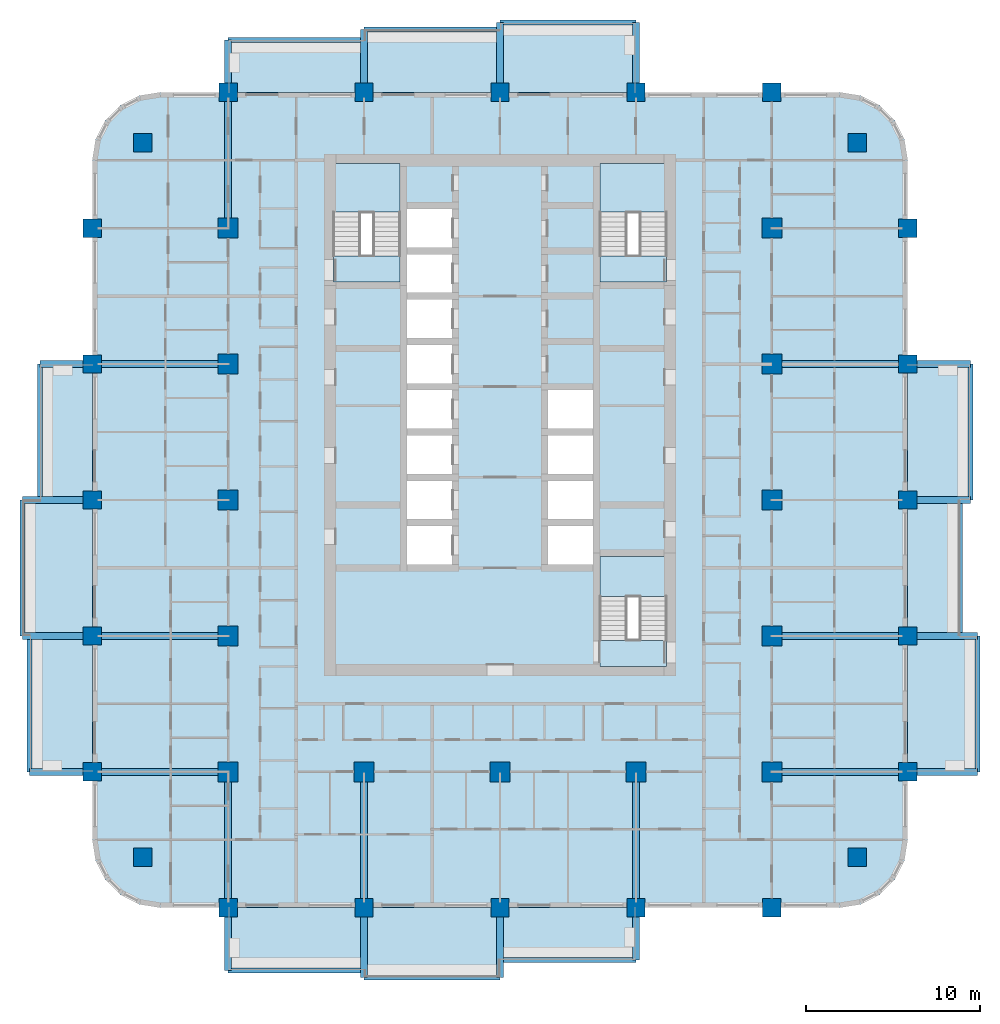
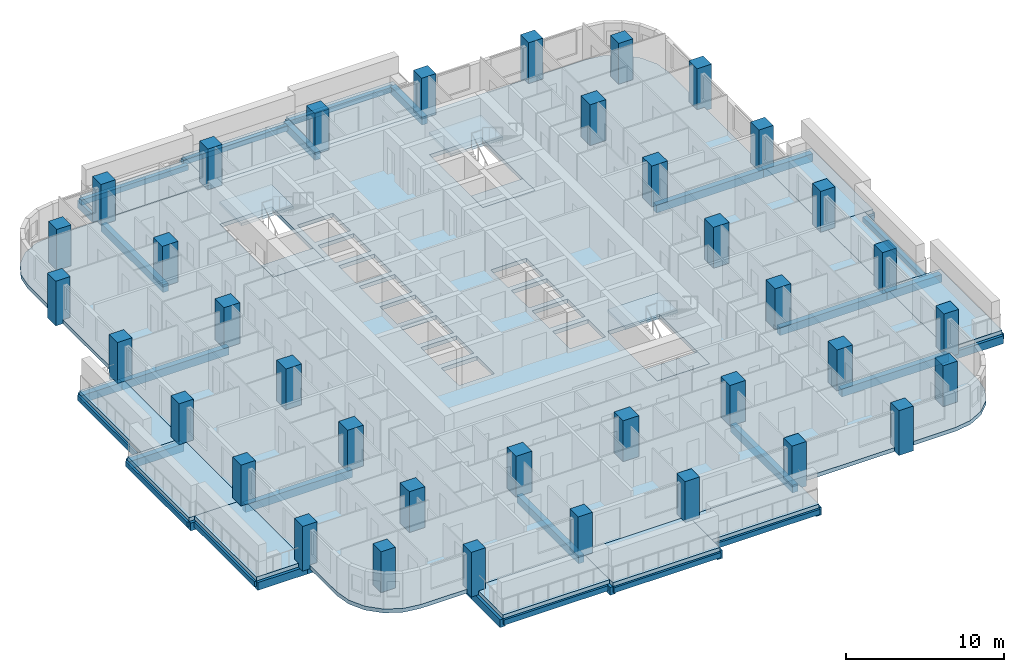
# One storey, part 1 of 17: 38 beams, 37 columns, 19 slabs, 3 elements without a shape of their own.
"""IFC4 building model written with IfcOpenShell, lengths in metres."""

from ifc_helpers import new_model, si_unit, direction, frame, origin, origin_2d, place, context, subcontext, project, spatial, polyline, rectangle, outline, extrude, material, layer, layer_set, material_profile, profile_set, type_object, element, aggregate, save


model = new_model("IFC4")

# Units and contexts
model_context = context("Model", 3, precision=1e-05, world=origin(), true_north=direction((0.0, 1.0)))
body_context = subcontext(model_context, "Body", "Model", "MODEL_VIEW")
ifc_project = project(units=[si_unit("LENGTHUNIT", "METRE"), si_unit("AREAUNIT", "SQUARE_METRE"), si_unit("VOLUMEUNIT", "CUBIC_METRE"), si_unit("PLANEANGLEUNIT", "RADIAN"), si_unit("MASSUNIT", "GRAM", prefix="KILO")], contexts=[model_context])

# Site, building, storey
site_placement = place(None, origin())
site = spatial("IfcSite", under=ifc_project, at=site_placement, CompositionType="ELEMENT")
building_placement = place(site_placement, origin())
building = spatial("IfcBuilding", under=site, at=building_placement, Name="Ludao Terraces", CompositionType="ELEMENT")
storey_placement = place(building_placement, frame((0.0, 0.0, 51.199951171875)))
storey = spatial("IfcBuildingStorey", under=building, at=storey_placement, Name="L13", CompositionType="ELEMENT", Elevation=51.199951171875)

# Columns
ifc_material_1 = material(Name="Concrete C60", Category="concrete")
ifc_material_profile_1 = material_profile(ifc_material_1, rectangle(XDim=1.050048828125, YDim=1.050048828125, at=origin_2d()), Name="1050 X 1050")
ifc_profile_set_1 = profile_set([ifc_material_profile_1], Name="Concrete C60")
column_type_1 = type_object("IfcColumnType", Name="RC column 1050x1050 C60", PredefinedType="COLUMN", material=ifc_profile_set_1)
for number, where, z_axis, x_axis, name in (
    (1, (64.5, 44.5, -0.300048828125), (0.0, 0.0, 1.0), (1.0, 0.0, 0.0), "Column L13 C0029x0029"),
    (2, (105.5, 44.5, -0.300048828125), (0.0, 0.0, 1.0), (1.0, 0.0, 0.0), "Column L13 C0439x0029"),
    (3, (64.5, 85.5, -0.300048828125), (0.0, 0.0, 1.0), (1.0, 0.0, 0.0), "Column L13 C0029x0439"),
    (4, (105.5, 85.5, -0.300048828125), (0.0, 0.0, 1.0), (1.0, 0.0, 0.0), "Column L13 C0439x0439"),
    (5, (61.60009765625, 49.39990234375, -0.300048828125), (0.0, 0.0, 1.0), (1.0, 0.0, 0.0), "Column L13 F0000x0078"),
    (6, (108.39990234375, 49.39990234375, -0.300048828125), (0.0, 0.0, 1.0), (1.0, 0.0, 0.0), "Column L13 F0468x0078"),
    (7, (69.39990234375, 41.60009765625, -0.300048828125), (0.0, 0.0, 1.0), (1.0, 0.0, 0.0), "Column L13 F0078x0000"),
    (8, (69.39990234375, 88.39990234375, -0.300048828125), (0.0, 0.0, 1.0), (1.0, 0.0, 0.0), "Column L13 F0078x0468"),
    (9, (61.60009765625, 57.199951171875, -0.300048828125), (0.0, 0.0, 1.0), (1.0, 0.0, 0.0), "Column L13 F0000x0156"),
    (10, (108.39990234375, 57.199951171875, -0.300048828125), (0.0, 0.0, 1.0), (1.0, 0.0, 0.0), "Column L13 F0468x0156"),
    (11, (77.199951171875, 41.60009765625, -0.300048828125), (0.0, 0.0, 1.0), (1.0, 0.0, 0.0), "Column L13 F0156x0000"),
    (12, (77.199951171875, 88.39990234375, -0.300048828125), (0.0, 0.0, 1.0), (1.0, 0.0, 0.0), "Column L13 F0156x0468"),
    (13, (61.60009765625, 65.0, -0.300048828125), (0.0, 0.0, 1.0), (1.0, 0.0, 0.0), "Column L13 F0000x0234"),
    (14, (108.39990234375, 65.0, -0.300048828125), (0.0, 0.0, 1.0), (1.0, 0.0, 0.0), "Column L13 F0468x0234"),
    (15, (85.0, 41.60009765625, -0.300048828125), (0.0, 0.0, 1.0), (1.0, 0.0, 0.0), "Column L13 F0234x0000"),
    (16, (85.0, 88.39990234375, -0.300048828125), (0.0, 0.0, 1.0), (1.0, 0.0, 0.0), "Column L13 F0234x0468"),
    (17, (61.60009765625, 72.800048828125, -0.300048828125), (0.0, 0.0, 1.0), (1.0, 0.0, 0.0), "Column L13 F0000x0312"),
    (18, (108.39990234375, 72.800048828125, -0.300048828125), (0.0, 0.0, 1.0), (1.0, 0.0, 0.0), "Column L13 F0468x0312"),
    (19, (92.800048828125, 41.60009765625, -0.300048828125), (0.0, 0.0, 1.0), (1.0, 0.0, 0.0), "Column L13 F0312x0000"),
    (20, (92.800048828125, 88.39990234375, -0.300048828125), (0.0, 0.0, 1.0), (1.0, 0.0, 0.0), "Column L13 F0312x0468"),
    (21, (61.60009765625, 80.60009765625, -0.300048828125), (0.0, 0.0, 1.0), (1.0, 0.0, 0.0), "Column L13 F0000x0390"),
    (22, (108.39990234375, 80.60009765625, -0.300048828125), (0.0, 0.0, 1.0), (1.0, 0.0, 0.0), "Column L13 F0468x0390"),
    (23, (100.60009765625, 41.60009765625, -0.300048828125), (0.0, 0.0, 1.0), (1.0, 0.0, 0.0), "Column L13 F0390x0000"),
    (24, (100.60009765625, 88.39990234375, -0.300048828125), (0.0, 0.0, 1.0), (1.0, 0.0, 0.0), "Column L13 F0390x0468"),
):
    element("IfcColumn", number, at=place(storey_placement, frame(where, z_axis=z_axis, x_axis=x_axis)), inside=storey, type_object=column_type_1, Name=name, PredefinedType="COLUMN", context=body_context, shape_type="SweptSolid", body=[
        extrude(rectangle(XDim=1.050048828125, YDim=1.050048828125, at=origin_2d()), origin(), (0.0, 0.0, 1.0), 3.4501953125),
    ])
ifc_material_profile_2 = material_profile(ifc_material_1, rectangle(XDim=1.14990234375, YDim=1.14990234375, at=origin_2d()), Name="1150 X 1150")
ifc_profile_set_2 = profile_set([ifc_material_profile_2], Name="Concrete C60")
column_type_2 = type_object("IfcColumnType", Name="RC column 1150x1150 C60", PredefinedType="COLUMN", material=ifc_profile_set_2)
for number, where, z_axis, x_axis, name in (
    (25, (69.39990234375, 49.39990234375, -0.300048828125), (0.0, 0.0, 1.0), (1.0, 0.0, 0.0), "Column L13 S0078x0078"),
    (26, (69.39990234375, 57.199951171875, -0.300048828125), (0.0, 0.0, 1.0), (1.0, 0.0, 0.0), "Column L13 S0078x0156"),
    (27, (69.39990234375, 65.0, -0.300048828125), (0.0, 0.0, 1.0), (1.0, 0.0, 0.0), "Column L13 S0078x0234"),
    (28, (69.39990234375, 72.800048828125, -0.300048828125), (0.0, 0.0, 1.0), (1.0, 0.0, 0.0), "Column L13 S0078x0312"),
    (29, (69.39990234375, 80.60009765625, -0.300048828125), (0.0, 0.0, 1.0), (1.0, 0.0, 0.0), "Column L13 S0078x0390"),
    (30, (77.199951171875, 49.39990234375, -0.300048828125), (0.0, 0.0, 1.0), (1.0, 0.0, 0.0), "Column L13 S0156x0078"),
    (31, (85.0, 49.39990234375, -0.300048828125), (0.0, 0.0, 1.0), (1.0, 0.0, 0.0), "Column L13 S0234x0078"),
    (32, (92.800048828125, 49.39990234375, -0.300048828125), (0.0, 0.0, 1.0), (1.0, 0.0, 0.0), "Column L13 S0312x0078"),
    (33, (100.60009765625, 49.39990234375, -0.300048828125), (0.0, 0.0, 1.0), (1.0, 0.0, 0.0), "Column L13 S0390x0078"),
    (34, (100.60009765625, 57.199951171875, -0.300048828125), (0.0, 0.0, 1.0), (1.0, 0.0, 0.0), "Column L13 S0390x0156"),
    (35, (100.60009765625, 65.0, -0.300048828125), (0.0, 0.0, 1.0), (1.0, 0.0, 0.0), "Column L13 S0390x0234"),
    (36, (100.60009765625, 72.800048828125, -0.300048828125), (0.0, 0.0, 1.0), (1.0, 0.0, 0.0), "Column L13 S0390x0312"),
    (37, (100.60009765625, 80.60009765625, -0.300048828125), (0.0, 0.0, 1.0), (1.0, 0.0, 0.0), "Column L13 S0390x0390"),
):
    element("IfcColumn", number, at=place(storey_placement, frame(where, z_axis=z_axis, x_axis=x_axis)), inside=storey, type_object=column_type_2, Name=name, PredefinedType="COLUMN", context=body_context, shape_type="SweptSolid", body=[
        extrude(rectangle(XDim=1.14990234375, YDim=1.14990234375, at=origin_2d()), origin(), (0.0, 0.0, 1.0), 3.4501953125),
    ])

# Beams
ifc_material_2 = material(Name="Concrete C40", Category="concrete")
ifc_material_profile_3 = material_profile(ifc_material_2, rectangle(XDim=0.300048828125, YDim=0.39990234375, at=origin_2d()), Name="300 X 400")
ifc_profile_set_3 = profile_set([ifc_material_profile_3], Name="Concrete C40")
beam_type_1 = type_object("IfcBeamType", Name="RC beam 300x400 C40", PredefinedType="BEAM", material=ifc_profile_set_3)
for number, where, z_axis, x_axis, name in (
    (38, (69.39990234375, 38.0, -0.5), (1.0, 0.0, 0.0), (0.0, 1.0, 0.0), "Balcony edge beam L13 S1"),
    (39, (77.199951171875, 37.60009765625, -0.5), (1.0, 0.0, 0.0), (0.0, 1.0, 0.0), "Balcony edge beam L13 S2"),
    (40, (85.0, 38.60009765625, -0.5), (1.0, 0.0, 0.0), (0.0, 1.0, 0.0), "Balcony edge beam L13 S3"),
    (41, (112.39990234375, 49.39990234375, -0.5), (0.0, 1.0, 0.0), (-1.0, 0.0, 0.0), "Balcony edge beam L13 E1"),
    (42, (111.39990234375, 57.199951171875, -0.5), (0.0, 1.0, 0.0), (-1.0, 0.0, 0.0), "Balcony edge beam L13 E2"),
    (43, (112.0, 65.0, -0.5), (0.0, 1.0, 0.0), (-1.0, 0.0, 0.0), "Balcony edge beam L13 E3"),
    (44, (69.39990234375, 91.39990234375, -0.5), (1.0, 0.0, 0.0), (0.0, 1.0, 0.0), "Balcony edge beam L13 N1"),
    (45, (77.199951171875, 92.0, -0.5), (1.0, 0.0, 0.0), (0.0, 1.0, 0.0), "Balcony edge beam L13 N2"),
    (46, (85.0, 92.39990234375, -0.5), (1.0, 0.0, 0.0), (0.0, 1.0, 0.0), "Balcony edge beam L13 N3"),
    (47, (58.0, 49.39990234375, -0.5), (0.0, 1.0, 0.0), (-1.0, 0.0, 0.0), "Balcony edge beam L13 W1"),
    (48, (57.60009765625, 57.199951171875, -0.5), (0.0, 1.0, 0.0), (-1.0, 0.0, 0.0), "Balcony edge beam L13 W2"),
    (49, (58.60009765625, 65.0, -0.5), (0.0, 1.0, 0.0), (-1.0, 0.0, 0.0), "Balcony edge beam L13 W3"),
):
    element("IfcBeam", number, at=place(storey_placement, frame(where, z_axis=z_axis, x_axis=x_axis)), inside=storey, type_object=beam_type_1, Name=name, PredefinedType="BEAM", context=body_context, shape_type="SweptSolid", body=[
        extrude(rectangle(XDim=0.300048828125, YDim=0.39990234375, at=origin_2d()), origin(), (0.0, 0.0, 1.0), 7.800048828125),
    ])
ifc_material_profile_4 = material_profile(ifc_material_2, rectangle(XDim=0.39990234375, YDim=0.60009765625, at=origin_2d()), Name="400 X 600")
ifc_profile_set_4 = profile_set([ifc_material_profile_4], Name="Concrete C40")
beam_type_2 = type_object("IfcBeamType", Name="RC beam 400x600 C40", PredefinedType="BEAM", material=ifc_profile_set_4)
beam_1_placement = place(storey_placement, frame((100.60009765625, 49.39990234375, -0.599853515625), z_axis=(1.0, 0.0, 0.0), x_axis=(0.0, 1.0, 0.0)))
element("IfcBeam", 50, at=beam_1_placement, inside=storey, type_object=beam_type_2, Name="Balcony beam L13 E494", PredefinedType="BEAM", context=body_context, shape_type="SweptSolid", body=[
    extrude(rectangle(XDim=0.39990234375, YDim=0.60009765625, at=origin_2d()), origin(), (0.0, 0.0, 1.0), 7.7998046875),
])
beam_2_placement = place(storey_placement, frame((108.39990234375, 49.39990234375, -0.599853515625), z_axis=(1.0, 0.0, 0.0), x_axis=(0.0, 1.0, 0.0)))
element("IfcBeam", 51, at=beam_2_placement, inside=storey, type_object=beam_type_2, Name="Balcony beam L13 E494", PredefinedType="BEAM", context=body_context, shape_type="SweptSolid", body=[
    extrude(rectangle(XDim=0.39990234375, YDim=0.60009765625, at=origin_2d()), origin(), (0.0, 0.0, 1.0), 4.0),
])
beam_3_placement = place(storey_placement, frame((100.60009765625, 57.199951171875, -0.599853515625), z_axis=(1.0, 0.0, 0.0), x_axis=(0.0, 1.0, 0.0)))
element("IfcBeam", 52, at=beam_3_placement, inside=storey, type_object=beam_type_2, Name="Balcony beam L13 E572", PredefinedType="BEAM", context=body_context, shape_type="SweptSolid", body=[
    extrude(rectangle(XDim=0.39990234375, YDim=0.60009765625, at=origin_2d()), origin(), (0.0, 0.0, 1.0), 7.7998046875),
])
beam_4_placement = place(storey_placement, frame((108.39990234375, 57.199951171875, -0.599853515625), z_axis=(1.0, 0.0, 0.0), x_axis=(0.0, 1.0, 0.0)))
element("IfcBeam", 53, at=beam_4_placement, inside=storey, type_object=beam_type_2, Name="Balcony beam L13 E572", PredefinedType="BEAM", context=body_context, shape_type="SweptSolid", body=[
    extrude(rectangle(XDim=0.39990234375, YDim=0.60009765625, at=origin_2d()), origin(), (0.0, 0.0, 1.0), 4.0),
])
beam_5_placement = place(storey_placement, frame((108.39990234375, 65.0, -0.599853515625), z_axis=(1.0, 0.0, 0.0), x_axis=(0.0, 1.0, 0.0)))
element("IfcBeam", 54, at=beam_5_placement, inside=storey, type_object=beam_type_2, Name="Balcony beam L13 E650", PredefinedType="BEAM", context=body_context, shape_type="SweptSolid", body=[
    extrude(rectangle(XDim=0.39990234375, YDim=0.60009765625, at=origin_2d()), origin(), (0.0, 0.0, 1.0), 3.60009765625),
])
beam_6_placement = place(storey_placement, frame((100.60009765625, 72.800048828125, -0.599853515625), z_axis=(1.0, 0.0, 0.0), x_axis=(0.0, 1.0, 0.0)))
element("IfcBeam", 55, at=beam_6_placement, inside=storey, type_object=beam_type_2, Name="Balcony beam L13 E728", PredefinedType="BEAM", context=body_context, shape_type="SweptSolid", body=[
    extrude(rectangle(XDim=0.39990234375, YDim=0.60009765625, at=origin_2d()), origin(), (0.0, 0.0, 1.0), 7.7998046875),
])
beam_7_placement = place(storey_placement, frame((108.39990234375, 72.800048828125, -0.599853515625), z_axis=(1.0, 0.0, 0.0), x_axis=(0.0, 1.0, 0.0)))
element("IfcBeam", 56, at=beam_7_placement, inside=storey, type_object=beam_type_2, Name="Balcony beam L13 E728", PredefinedType="BEAM", context=body_context, shape_type="SweptSolid", body=[
    extrude(rectangle(XDim=0.39990234375, YDim=0.60009765625, at=origin_2d()), origin(), (0.0, 0.0, 1.0), 3.60009765625),
])
beam_8_placement = place(storey_placement, frame((69.39990234375, 80.60009765625, -0.599853515625), z_axis=(0.0, 1.0, 0.0), x_axis=(-1.0, 0.0, 0.0)))
element("IfcBeam", 57, at=beam_8_placement, inside=storey, type_object=beam_type_2, Name="Balcony beam L13 N694", PredefinedType="BEAM", context=body_context, shape_type="SweptSolid", body=[
    extrude(rectangle(XDim=0.39990234375, YDim=0.60009765625, at=origin_2d()), origin(), (0.0, 0.0, 1.0), 7.7998046875),
])
beam_9_placement = place(storey_placement, frame((69.39990234375, 88.39990234375, -0.599853515625), z_axis=(0.0, 1.0, 0.0), x_axis=(-1.0, 0.0, 0.0)))
element("IfcBeam", 58, at=beam_9_placement, inside=storey, type_object=beam_type_2, Name="Balcony beam L13 N694", PredefinedType="BEAM", context=body_context, shape_type="SweptSolid", body=[
    extrude(rectangle(XDim=0.39990234375, YDim=0.60009765625, at=origin_2d()), origin(), (0.0, 0.0, 1.0), 3.0),
])
beam_10_placement = place(storey_placement, frame((77.199951171875, 88.39990234375, -0.599853515625), z_axis=(0.0, 1.0, 0.0), x_axis=(-1.0, 0.0, 0.0)))
element("IfcBeam", 59, at=beam_10_placement, inside=storey, type_object=beam_type_2, Name="Balcony beam L13 N772", PredefinedType="BEAM", context=body_context, shape_type="SweptSolid", body=[
    extrude(rectangle(XDim=0.39990234375, YDim=0.60009765625, at=origin_2d()), origin(), (0.0, 0.0, 1.0), 3.60009765625),
])
for number, where, z_axis, x_axis, name in (
    (60, (85.0, 88.39990234375, -0.599853515625), (0.0, 1.0, 0.0), (-1.0, 0.0, 0.0), "Balcony beam L13 N850"),
    (61, (92.800048828125, 88.39990234375, -0.599853515625), (0.0, 1.0, 0.0), (-1.0, 0.0, 0.0), "Balcony beam L13 N928"),
):
    element("IfcBeam", number, at=place(storey_placement, frame(where, z_axis=z_axis, x_axis=x_axis)), inside=storey, type_object=beam_type_2, Name=name, PredefinedType="BEAM", context=body_context, shape_type="SweptSolid", body=[
        extrude(rectangle(XDim=0.39990234375, YDim=0.60009765625, at=origin_2d()), origin(), (0.0, 0.0, 1.0), 4.0),
    ])
beam_11_placement = place(storey_placement, frame((69.39990234375, 49.39990234375, -0.599853515625), z_axis=(0.0, -1.0, 0.0), x_axis=(1.0, 0.0, 0.0)))
element("IfcBeam", 62, at=beam_11_placement, inside=storey, type_object=beam_type_2, Name="Balcony beam L13 S694", PredefinedType="BEAM", context=body_context, shape_type="SweptSolid", body=[
    extrude(rectangle(XDim=0.39990234375, YDim=0.60009765625, at=origin_2d()), origin(), (0.0, 0.0, 1.0), 7.7998046875),
])
beam_12_placement = place(storey_placement, frame((69.39990234375, 41.60009765625, -0.599853515625), z_axis=(0.0, -1.0, 0.0), x_axis=(1.0, 0.0, 0.0)))
element("IfcBeam", 63, at=beam_12_placement, inside=storey, type_object=beam_type_2, Name="Balcony beam L13 S694", PredefinedType="BEAM", context=body_context, shape_type="SweptSolid", body=[
    extrude(rectangle(XDim=0.39990234375, YDim=0.60009765625, at=origin_2d()), origin(), (0.0, 0.0, 1.0), 3.60009765625),
])
beam_13_placement = place(storey_placement, frame((77.199951171875, 49.39990234375, -0.599853515625), z_axis=(0.0, -1.0, 0.0), x_axis=(1.0, 0.0, 0.0)))
element("IfcBeam", 64, at=beam_13_placement, inside=storey, type_object=beam_type_2, Name="Balcony beam L13 S772", PredefinedType="BEAM", context=body_context, shape_type="SweptSolid", body=[
    extrude(rectangle(XDim=0.39990234375, YDim=0.60009765625, at=origin_2d()), origin(), (0.0, 0.0, 1.0), 7.7998046875),
])
for number, where, z_axis, x_axis, name in (
    (65, (77.199951171875, 41.60009765625, -0.599853515625), (0.0, -1.0, 0.0), (1.0, 0.0, 0.0), "Balcony beam L13 S772"),
    (66, (85.0, 41.60009765625, -0.599853515625), (0.0, -1.0, 0.0), (1.0, 0.0, 0.0), "Balcony beam L13 S850"),
):
    element("IfcBeam", number, at=place(storey_placement, frame(where, z_axis=z_axis, x_axis=x_axis)), inside=storey, type_object=beam_type_2, Name=name, PredefinedType="BEAM", context=body_context, shape_type="SweptSolid", body=[
        extrude(rectangle(XDim=0.39990234375, YDim=0.60009765625, at=origin_2d()), origin(), (0.0, 0.0, 1.0), 4.0),
    ])
beam_14_placement = place(storey_placement, frame((92.800048828125, 49.39990234375, -0.599853515625), z_axis=(0.0, -1.0, 0.0), x_axis=(1.0, 0.0, 0.0)))
element("IfcBeam", 67, at=beam_14_placement, inside=storey, type_object=beam_type_2, Name="Balcony beam L13 S928", PredefinedType="BEAM", context=body_context, shape_type="SweptSolid", body=[
    extrude(rectangle(XDim=0.39990234375, YDim=0.60009765625, at=origin_2d()), origin(), (0.0, 0.0, 1.0), 7.7998046875),
])
beam_15_placement = place(storey_placement, frame((92.800048828125, 41.60009765625, -0.599853515625), z_axis=(0.0, -1.0, 0.0), x_axis=(1.0, 0.0, 0.0)))
element("IfcBeam", 68, at=beam_15_placement, inside=storey, type_object=beam_type_2, Name="Balcony beam L13 S928", PredefinedType="BEAM", context=body_context, shape_type="SweptSolid", body=[
    extrude(rectangle(XDim=0.39990234375, YDim=0.60009765625, at=origin_2d()), origin(), (0.0, 0.0, 1.0), 3.0),
])
beam_16_placement = place(storey_placement, frame((69.39990234375, 49.39990234375, -0.599853515625), z_axis=(-1.0, 0.0, 0.0), x_axis=(0.0, -1.0, 0.0)))
element("IfcBeam", 69, at=beam_16_placement, inside=storey, type_object=beam_type_2, Name="Balcony beam L13 W494", PredefinedType="BEAM", context=body_context, shape_type="SweptSolid", body=[
    extrude(rectangle(XDim=0.39990234375, YDim=0.60009765625, at=origin_2d()), origin(), (0.0, 0.0, 1.0), 7.7998046875),
])
beam_17_placement = place(storey_placement, frame((61.60009765625, 49.39990234375, -0.599853515625), z_axis=(-1.0, 0.0, 0.0), x_axis=(0.0, -1.0, 0.0)))
element("IfcBeam", 70, at=beam_17_placement, inside=storey, type_object=beam_type_2, Name="Balcony beam L13 W494", PredefinedType="BEAM", context=body_context, shape_type="SweptSolid", body=[
    extrude(rectangle(XDim=0.39990234375, YDim=0.60009765625, at=origin_2d()), origin(), (0.0, 0.0, 1.0), 3.60009765625),
])
beam_18_placement = place(storey_placement, frame((69.39990234375, 57.199951171875, -0.599853515625), z_axis=(-1.0, 0.0, 0.0), x_axis=(0.0, -1.0, 0.0)))
element("IfcBeam", 71, at=beam_18_placement, inside=storey, type_object=beam_type_2, Name="Balcony beam L13 W572", PredefinedType="BEAM", context=body_context, shape_type="SweptSolid", body=[
    extrude(rectangle(XDim=0.39990234375, YDim=0.60009765625, at=origin_2d()), origin(), (0.0, 0.0, 1.0), 7.7998046875),
])
for number, where, z_axis, x_axis, name in (
    (72, (61.60009765625, 57.199951171875, -0.599853515625), (-1.0, 0.0, 0.0), (0.0, -1.0, 0.0), "Balcony beam L13 W572"),
    (73, (61.60009765625, 65.0, -0.599853515625), (-1.0, 0.0, 0.0), (0.0, -1.0, 0.0), "Balcony beam L13 W650"),
):
    element("IfcBeam", number, at=place(storey_placement, frame(where, z_axis=z_axis, x_axis=x_axis)), inside=storey, type_object=beam_type_2, Name=name, PredefinedType="BEAM", context=body_context, shape_type="SweptSolid", body=[
        extrude(rectangle(XDim=0.39990234375, YDim=0.60009765625, at=origin_2d()), origin(), (0.0, 0.0, 1.0), 4.0),
    ])
beam_19_placement = place(storey_placement, frame((69.39990234375, 72.800048828125, -0.599853515625), z_axis=(-1.0, 0.0, 0.0), x_axis=(0.0, -1.0, 0.0)))
element("IfcBeam", 74, at=beam_19_placement, inside=storey, type_object=beam_type_2, Name="Balcony beam L13 W728", PredefinedType="BEAM", context=body_context, shape_type="SweptSolid", body=[
    extrude(rectangle(XDim=0.39990234375, YDim=0.60009765625, at=origin_2d()), origin(), (0.0, 0.0, 1.0), 7.7998046875),
])
beam_20_placement = place(storey_placement, frame((61.60009765625, 72.800048828125, -0.599853515625), z_axis=(-1.0, 0.0, 0.0), x_axis=(0.0, -1.0, 0.0)))
element("IfcBeam", 75, at=beam_20_placement, inside=storey, type_object=beam_type_2, Name="Balcony beam L13 W728", PredefinedType="BEAM", context=body_context, shape_type="SweptSolid", body=[
    extrude(rectangle(XDim=0.39990234375, YDim=0.60009765625, at=origin_2d()), origin(), (0.0, 0.0, 1.0), 3.0),
])

# Slabs
ifc_layer_1 = layer(ifc_material_2, 0.300048828125)
ifc_layer_set_1 = layer_set([ifc_layer_1], Name="Balcony slab 300 C40")
slab_type_1 = type_object("IfcSlabType", Name="Balcony slab 300 C40", PredefinedType="USERDEFINED", material=ifc_layer_set_1)
slab_1_placement = place(storey_placement, frame((0.0, 0.0, -0.300048828125)))
element("IfcSlab", 76, at=slab_1_placement, inside=storey, type_object=slab_type_1, Name="Balcony L13 S1", ObjectType="BALCONY", PredefinedType="USERDEFINED", context=body_context, shape_type="SweptSolid", body=[
    extrude(outline(polyline([(69.39990234375, 38.0), (77.199951171875, 38.0), (77.199951171875, 41.60009765625), (69.39990234375, 41.60009765625), (69.39990234375, 38.0)])), origin(), (0.0, 0.0, 1.0), 0.300048828125),
])
slab_2_placement = place(storey_placement, frame((0.0, 0.0, -0.300048828125)))
element("IfcSlab", 77, at=slab_2_placement, inside=storey, type_object=slab_type_1, Name="Balcony L13 S2", ObjectType="BALCONY", PredefinedType="USERDEFINED", context=body_context, shape_type="SweptSolid", body=[
    extrude(outline(polyline([(77.199951171875, 37.60009765625), (85.0, 37.60009765625), (85.0, 41.60009765625), (77.199951171875, 41.60009765625), (77.199951171875, 37.60009765625)])), origin(), (0.0, 0.0, 1.0), 0.300048828125),
])
slab_3_placement = place(storey_placement, frame((0.0, 0.0, -0.300048828125)))
element("IfcSlab", 78, at=slab_3_placement, inside=storey, type_object=slab_type_1, Name="Balcony L13 S3", ObjectType="BALCONY", PredefinedType="USERDEFINED", context=body_context, shape_type="SweptSolid", body=[
    extrude(outline(polyline([(85.0, 38.60009765625), (92.800048828125, 38.60009765625), (92.800048828125, 41.60009765625), (85.0, 41.60009765625), (85.0, 38.60009765625)])), origin(), (0.0, 0.0, 1.0), 0.300048828125),
])
slab_4_placement = place(storey_placement, frame((0.0, 0.0, -0.300048828125)))
element("IfcSlab", 79, at=slab_4_placement, inside=storey, type_object=slab_type_1, Name="Balcony L13 E1", ObjectType="BALCONY", PredefinedType="USERDEFINED", context=body_context, shape_type="SweptSolid", body=[
    extrude(outline(polyline([(108.39990234375, 49.39990234375), (112.39990234375, 49.39990234375), (112.39990234375, 57.199951171875), (108.39990234375, 57.199951171875), (108.39990234375, 49.39990234375)])), origin(), (0.0, 0.0, 1.0), 0.300048828125),
])
slab_5_placement = place(storey_placement, frame((0.0, 0.0, -0.300048828125)))
element("IfcSlab", 80, at=slab_5_placement, inside=storey, type_object=slab_type_1, Name="Balcony L13 E2", ObjectType="BALCONY", PredefinedType="USERDEFINED", context=body_context, shape_type="SweptSolid", body=[
    extrude(outline(polyline([(108.39990234375, 57.199951171875), (111.39990234375, 57.199951171875), (111.39990234375, 65.0), (108.39990234375, 65.0), (108.39990234375, 57.199951171875)])), origin(), (0.0, 0.0, 1.0), 0.300048828125),
])
slab_6_placement = place(storey_placement, frame((0.0, 0.0, -0.300048828125)))
element("IfcSlab", 81, at=slab_6_placement, inside=storey, type_object=slab_type_1, Name="Balcony L13 E3", ObjectType="BALCONY", PredefinedType="USERDEFINED", context=body_context, shape_type="SweptSolid", body=[
    extrude(outline(polyline([(108.39990234375, 65.0), (112.0, 65.0), (112.0, 72.800048828125), (108.39990234375, 72.800048828125), (108.39990234375, 65.0)])), origin(), (0.0, 0.0, 1.0), 0.300048828125),
])
slab_7_placement = place(storey_placement, frame((0.0, 0.0, -0.300048828125)))
element("IfcSlab", 82, at=slab_7_placement, inside=storey, type_object=slab_type_1, Name="Balcony L13 N1", ObjectType="BALCONY", PredefinedType="USERDEFINED", context=body_context, shape_type="SweptSolid", body=[
    extrude(outline(polyline([(69.39990234375, 88.39990234375), (77.199951171875, 88.39990234375), (77.199951171875, 91.39990234375), (69.39990234375, 91.39990234375), (69.39990234375, 88.39990234375)])), origin(), (0.0, 0.0, 1.0), 0.300048828125),
])
slab_8_placement = place(storey_placement, frame((0.0, 0.0, -0.300048828125)))
element("IfcSlab", 83, at=slab_8_placement, inside=storey, type_object=slab_type_1, Name="Balcony L13 N2", ObjectType="BALCONY", PredefinedType="USERDEFINED", context=body_context, shape_type="SweptSolid", body=[
    extrude(outline(polyline([(77.199951171875, 88.39990234375), (85.0, 88.39990234375), (85.0, 92.0), (77.199951171875, 92.0), (77.199951171875, 88.39990234375)])), origin(), (0.0, 0.0, 1.0), 0.300048828125),
])
slab_9_placement = place(storey_placement, frame((0.0, 0.0, -0.300048828125)))
element("IfcSlab", 84, at=slab_9_placement, inside=storey, type_object=slab_type_1, Name="Balcony L13 N3", ObjectType="BALCONY", PredefinedType="USERDEFINED", context=body_context, shape_type="SweptSolid", body=[
    extrude(outline(polyline([(85.0, 88.39990234375), (92.800048828125, 88.39990234375), (92.800048828125, 92.39990234375), (85.0, 92.39990234375), (85.0, 88.39990234375)])), origin(), (0.0, 0.0, 1.0), 0.300048828125),
])
slab_10_placement = place(storey_placement, frame((0.0, 0.0, -0.300048828125)))
element("IfcSlab", 85, at=slab_10_placement, inside=storey, type_object=slab_type_1, Name="Balcony L13 W1", ObjectType="BALCONY", PredefinedType="USERDEFINED", context=body_context, shape_type="SweptSolid", body=[
    extrude(outline(polyline([(58.0, 49.39990234375), (61.60009765625, 49.39990234375), (61.60009765625, 57.199951171875), (58.0, 57.199951171875), (58.0, 49.39990234375)])), origin(), (0.0, 0.0, 1.0), 0.300048828125),
])
slab_11_placement = place(storey_placement, frame((0.0, 0.0, -0.300048828125)))
element("IfcSlab", 86, at=slab_11_placement, inside=storey, type_object=slab_type_1, Name="Balcony L13 W2", ObjectType="BALCONY", PredefinedType="USERDEFINED", context=body_context, shape_type="SweptSolid", body=[
    extrude(outline(polyline([(57.60009765625, 57.199951171875), (61.60009765625, 57.199951171875), (61.60009765625, 65.0), (57.60009765625, 65.0), (57.60009765625, 57.199951171875)])), origin(), (0.0, 0.0, 1.0), 0.300048828125),
])
slab_12_placement = place(storey_placement, frame((0.0, 0.0, -0.300048828125)))
element("IfcSlab", 87, at=slab_12_placement, inside=storey, type_object=slab_type_1, Name="Balcony L13 W3", ObjectType="BALCONY", PredefinedType="USERDEFINED", context=body_context, shape_type="SweptSolid", body=[
    extrude(outline(polyline([(58.60009765625, 65.0), (61.60009765625, 65.0), (61.60009765625, 72.800048828125), (58.60009765625, 72.800048828125), (58.60009765625, 65.0)])), origin(), (0.0, 0.0, 1.0), 0.300048828125),
])
ifc_layer_2 = layer(ifc_material_2, 0.300048828125)
ifc_layer_set_2 = layer_set([ifc_layer_2], Name="Floor slab 300 C40")
slab_type_2 = type_object("IfcSlabType", Name="Floor slab 300 C40", PredefinedType="FLOOR", material=ifc_layer_set_2)
slab_13_placement = place(storey_placement, frame((0.0, 0.0, -0.300048828125)))
element("IfcSlab", 88, at=slab_13_placement, inside=storey, type_object=slab_type_2, Name="Slab L13", PredefinedType="FLOOR", context=body_context, shape_type="SweptSolid", body=[
    extrude(outline(polyline([(104.5, 41.60009765625), (105.705078125, 41.790771484375), (106.79248046875, 42.3447265625), (107.6552734375, 43.20751953125), (108.209228515625, 44.294921875), (108.39990234375, 45.5), (108.39990234375, 84.5), (108.209228515625, 85.705078125), (107.6552734375, 86.79248046875), (106.79248046875, 87.6552734375), (105.705078125, 88.209228515625), (104.5, 88.39990234375), (65.5, 88.39990234375), (64.294921875, 88.209228515625), (63.20751953125, 87.6552734375), (62.3447265625, 86.79248046875), (61.790771484375, 85.705078125), (61.60009765625, 84.5), (61.60009765625, 45.5), (61.790771484375, 44.294921875), (62.3447265625, 43.20751953125), (63.20751953125, 42.3447265625), (64.294921875, 41.790771484375), (65.5, 41.60009765625), (104.5, 41.60009765625)]), holes=[polyline([(79.64990234375, 61.300048828125), (82.25, 61.300048828125), (82.25, 63.5), (79.64990234375, 63.5), (79.64990234375, 61.300048828125)]), polyline([(79.64990234375, 63.89990234375), (82.25, 63.89990234375), (82.25, 66.10009765625), (79.64990234375, 66.10009765625), (79.64990234375, 63.89990234375)]), polyline([(79.64990234375, 66.5), (82.25, 66.5), (82.25, 68.699951171875), (79.64990234375, 68.699951171875), (79.64990234375, 66.5)]), polyline([(79.64990234375, 69.10009765625), (82.25, 69.10009765625), (82.25, 71.300048828125), (79.64990234375, 71.300048828125), (79.64990234375, 69.10009765625)]), polyline([(79.64990234375, 71.699951171875), (82.25, 71.699951171875), (82.25, 73.89990234375), (79.64990234375, 73.89990234375), (79.64990234375, 71.699951171875)]), polyline([(79.64990234375, 74.300048828125), (82.25, 74.300048828125), (82.25, 76.5), (79.64990234375, 76.5), (79.64990234375, 74.300048828125)]), polyline([(79.64990234375, 76.89990234375), (82.25, 76.89990234375), (82.25, 79.10009765625), (79.64990234375, 79.10009765625), (79.64990234375, 76.89990234375)]), polyline([(79.64990234375, 79.5), (82.25, 79.5), (82.25, 81.699951171875), (79.64990234375, 81.699951171875), (79.64990234375, 79.5)]), polyline([(87.75, 61.300048828125), (90.35009765625, 61.300048828125), (90.35009765625, 63.5), (87.75, 63.5), (87.75, 61.300048828125)]), polyline([(87.75, 63.89990234375), (90.35009765625, 63.89990234375), (90.35009765625, 66.10009765625), (87.75, 66.10009765625), (87.75, 63.89990234375)]), polyline([(87.75, 66.5), (90.35009765625, 66.5), (90.35009765625, 68.699951171875), (87.75, 68.699951171875), (87.75, 66.5)]), polyline([(87.75, 69.10009765625), (90.35009765625, 69.10009765625), (90.35009765625, 71.300048828125), (87.75, 71.300048828125), (87.75, 69.10009765625)]), polyline([(75.449951171875, 77.5), (79.25, 77.5), (79.25, 84.239990234375), (75.449951171875, 84.239990234375), (75.449951171875, 77.5)]), polyline([(90.75, 77.5), (94.550048828125, 77.5), (94.550048828125, 84.239990234375), (90.75, 84.239990234375), (90.75, 77.5)]), polyline([(90.75, 55.449951171875), (94.550048828125, 55.449951171875), (94.550048828125, 61.75), (90.75, 61.75), (90.75, 55.449951171875)])]), origin(), (0.0, 0.0, 1.0), 0.300048828125),
])

# Stair, slabs
stair_type = type_object("IfcStairType", Name="INT Stair", PredefinedType="HALF_TURN_STAIR", material=ifc_material_2)
stair_1_placement = place(storey_placement, origin())
stair_1 = element("IfcStair", 89, at=stair_1_placement, inside=storey, type_object=stair_type, Name="EXIT STAIR 1", PredefinedType="HALF_TURN_STAIR")
ifc_layer_3 = layer(ifc_material_2, 0.199951171875)
ifc_layer_set_3 = layer_set([ifc_layer_3], Name="INT Stair landing 200")
slab_type_3 = type_object("IfcSlabType", Name="INT Stair landing 200", PredefinedType="LANDING", material=ifc_layer_set_3)
slab_14_placement = place(storey_placement, frame((0.0, 0.0, 1.5)))
slab_14 = element("IfcSlab", 90, at=slab_14_placement, type_object=slab_type_3, Name="ST1 landing 1", PredefinedType="LANDING", context=body_context, shape_type="SweptSolid", body=[
    extrude(outline(polyline([(75.449951171875, 81.52001953125), (79.25, 81.52001953125), (79.25, 84.300048828125), (75.449951171875, 84.300048828125), (75.449951171875, 81.52001953125)])), origin(), (0.0, 0.0, 1.0), 0.199951171875),
])
slab_15_placement = place(storey_placement, frame((0.0, 0.0, -0.199951171875)))
slab_15 = element("IfcSlab", 91, at=slab_15_placement, type_object=slab_type_3, Name="ST1 landing 2", PredefinedType="LANDING", context=body_context, shape_type="SweptSolid", body=[
    extrude(outline(polyline([(75.449951171875, 77.5), (79.25, 77.5), (79.25, 79.0), (75.449951171875, 79.0), (75.449951171875, 77.5)])), origin(), (0.0, 0.0, 1.0), 0.199951171875),
])
aggregate(stair_1, [slab_14, slab_15])

stair_2_placement = place(storey_placement, origin())
stair_2 = element("IfcStair", 92, at=stair_2_placement, inside=storey, type_object=stair_type, Name="EXIT STAIR 2", PredefinedType="HALF_TURN_STAIR")
slab_16_placement = place(storey_placement, frame((0.0, 0.0, 1.5)))
slab_16 = element("IfcSlab", 93, at=slab_16_placement, type_object=slab_type_3, Name="ST2 landing 1", PredefinedType="LANDING", context=body_context, shape_type="SweptSolid", body=[
    extrude(outline(polyline([(90.75, 81.52001953125), (94.550048828125, 81.52001953125), (94.550048828125, 84.300048828125), (90.75, 84.300048828125), (90.75, 81.52001953125)])), origin(), (0.0, 0.0, 1.0), 0.199951171875),
])
slab_17_placement = place(storey_placement, frame((0.0, 0.0, -0.199951171875)))
slab_17 = element("IfcSlab", 94, at=slab_17_placement, type_object=slab_type_3, Name="ST2 landing 2", PredefinedType="LANDING", context=body_context, shape_type="SweptSolid", body=[
    extrude(outline(polyline([(90.75, 77.5), (94.550048828125, 77.5), (94.550048828125, 79.0), (90.75, 79.0), (90.75, 77.5)])), origin(), (0.0, 0.0, 1.0), 0.199951171875),
])
aggregate(stair_2, [slab_16, slab_17])

stair_3_placement = place(storey_placement, origin())
stair_3 = element("IfcStair", 95, at=stair_3_placement, inside=storey, type_object=stair_type, Name="EXIT STAIR 3", PredefinedType="HALF_TURN_STAIR")
slab_18_placement = place(storey_placement, frame((0.0, 0.0, 1.5)))
slab_18 = element("IfcSlab", 96, at=slab_18_placement, type_object=slab_type_3, Name="ST3 landing 1", PredefinedType="LANDING", context=body_context, shape_type="SweptSolid", body=[
    extrude(outline(polyline([(90.75, 59.469970703125), (94.550048828125, 59.469970703125), (94.550048828125, 61.75), (90.75, 61.75), (90.75, 59.469970703125)])), origin(), (0.0, 0.0, 1.0), 0.199951171875),
])
slab_19_placement = place(storey_placement, frame((0.0, 0.0, -0.199951171875)))
slab_19 = element("IfcSlab", 97, at=slab_19_placement, type_object=slab_type_3, Name="ST3 landing 2", PredefinedType="LANDING", context=body_context, shape_type="SweptSolid", body=[
    extrude(outline(polyline([(90.75, 55.449951171875), (94.550048828125, 55.449951171875), (94.550048828125, 56.949951171875), (90.75, 56.949951171875), (90.75, 55.449951171875)])), origin(), (0.0, 0.0, 1.0), 0.199951171875),
])
aggregate(stair_3, [slab_18, slab_19])

save(model, "model.ifc")
